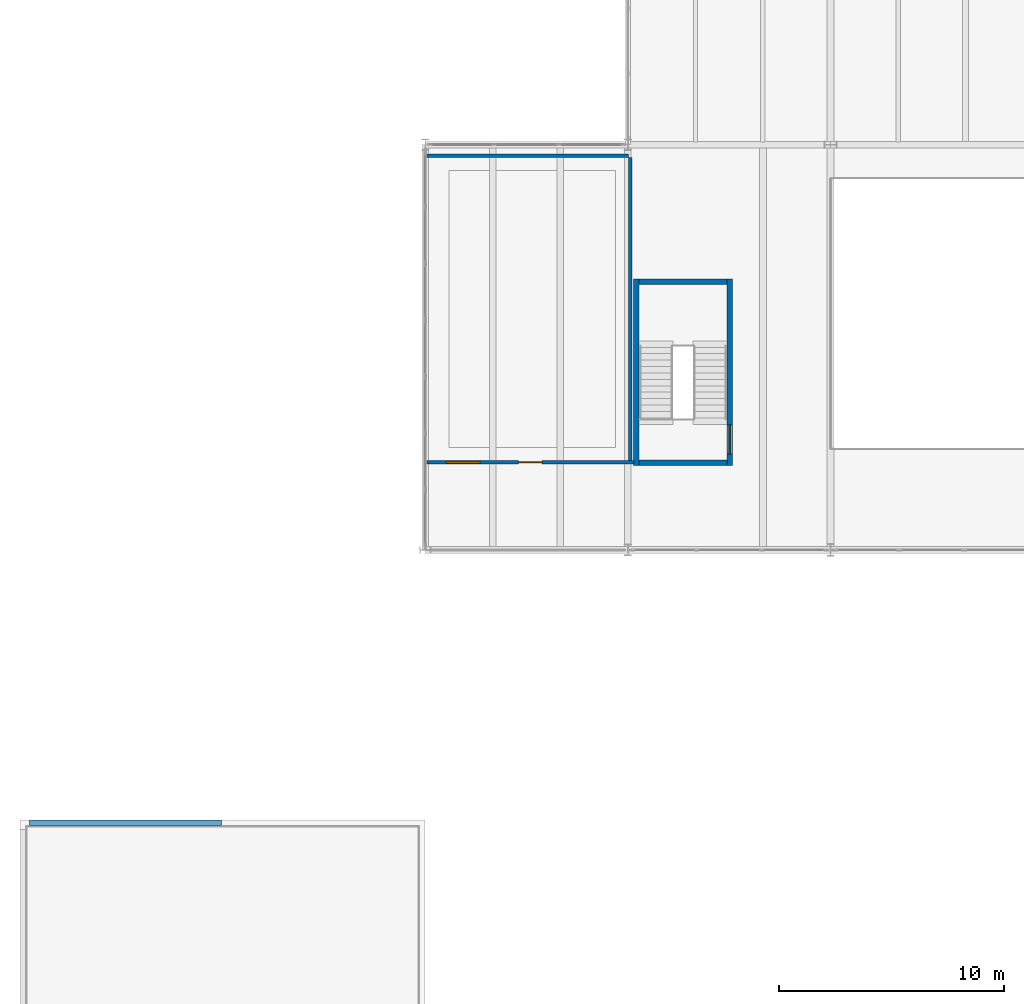
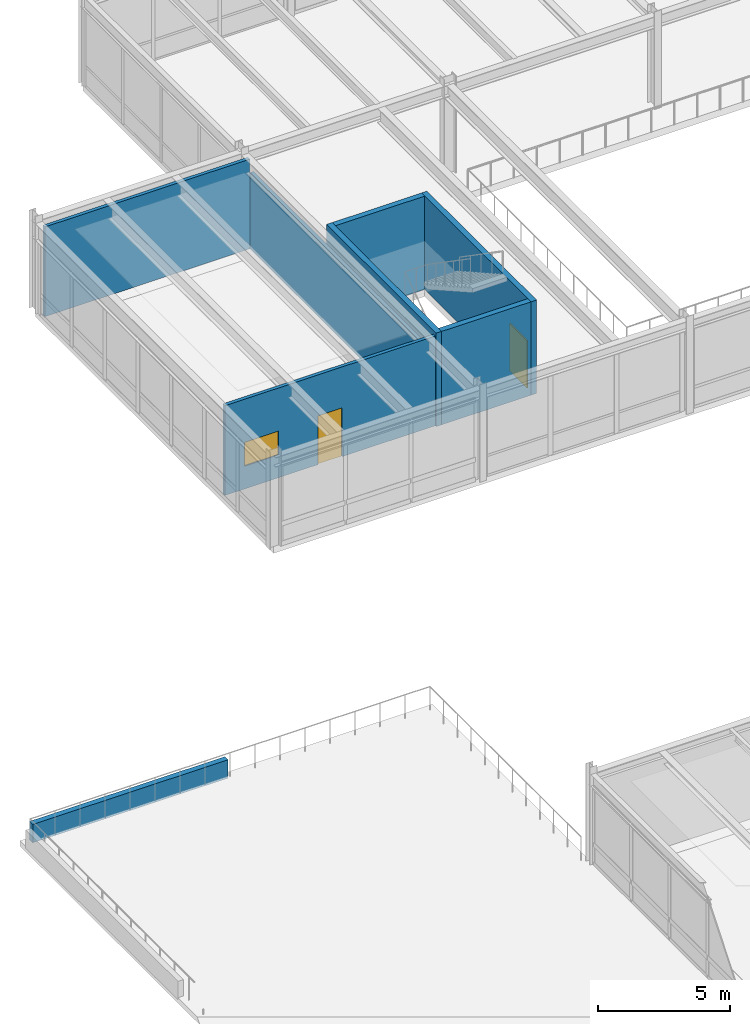
# One storey, part 113 of 127: 8 walls, 2 doors, 1 window, 3 openings.
"""IFC4 building model written with IfcOpenShell, lengths in metres."""

from ifc_helpers import new_model, si_unit, direction, frame, frame_2d, origin, place, context, subcontext, project, spatial, rectangle, extrude, material, layer, layer_set, type_object, element, fill, save


model = new_model("IFC4")

# Units and contexts
model_context = context("Model", 3, precision=1e-05, world=origin(), true_north=direction((0.0, 1.0)))
body_context = subcontext(model_context, "Body", "Model", "MODEL_VIEW")
ifc_project = project(units=[si_unit("LENGTHUNIT", "METRE"), si_unit("AREAUNIT", "SQUARE_METRE"), si_unit("VOLUMEUNIT", "CUBIC_METRE"), si_unit("PLANEANGLEUNIT", "RADIAN"), si_unit("MASSUNIT", "GRAM", prefix="KILO")], contexts=[model_context])

# Site, building, storey
site_placement = place(None, origin())
site = spatial("IfcSite", under=ifc_project, at=site_placement, CompositionType="ELEMENT")
building_placement = place(site_placement, origin())
building = spatial("IfcBuilding", under=site, at=building_placement, Name="Montelvaro Courts of Justice", CompositionType="ELEMENT")
storey_placement = place(building_placement, frame((0.0, 0.0, 5.39990234375)))
storey = spatial("IfcBuildingStorey", under=building, at=storey_placement, Name="L01", CompositionType="ELEMENT", Elevation=5.39990234375)

# Walls
ifc_material_1 = material(Name="Gypsum board on metal stud")
ifc_layer_1 = layer(ifc_material_1, 0.14990234375)
ifc_layer_set_1 = layer_set([ifc_layer_1], Name="Gypsum board on metal stud")
wall_type_1 = type_object("IfcWallType", Name="ChambersPartition_150", PredefinedType="PARTITIONING", material=ifc_layer_set_1)
wall_1_placement = place(storey_placement, frame((18.074951171875, 95.5, 0.0), z_axis=(0.0, 0.0, 1.0), x_axis=(1.0, 0.0, 0.0)))
element("IfcWall", 1, at=wall_1_placement, inside=storey, type_object=wall_type_1, Name="Interior Partition IW-04 (L01)", PredefinedType="PARTITIONING", context=body_context, shape_type="SweptSolid", body=[
    extrude(rectangle(XDim=8.945068359375, YDim=0.14990234375, at=frame_2d((4.47265625, 0.0))), origin(), (0.0, 0.0, 1.0), 4.14013671875),
])
wall_2_placement = place(storey_placement, frame((27.10009765625, 95.419921875, 0.0), z_axis=(0.0, 0.0, 1.0), x_axis=(0.0, -1.0, 0.0)))
element("IfcWall", 2, at=wall_2_placement, inside=storey, type_object=wall_type_1, Name="Interior Partition IW-04 (L01)", PredefinedType="PARTITIONING", context=body_context, shape_type="SweptSolid", body=[
    extrude(rectangle(XDim=13.43994140625, YDim=0.14990234375, at=frame_2d((6.719970703125, 0.0))), origin(), (0.0, 0.0, 1.0), 3.525146484375),
])

# Wall, openings, door, window
wall_3_placement = place(storey_placement, frame((27.264892578125, 81.89990234375, 0.0), z_axis=(0.0, 0.0, 1.0), x_axis=(-1.0, 0.0, 0.0)))
wall_3 = element("IfcWall", 3, at=wall_3_placement, inside=storey, type_object=wall_type_1, Name="Interior Partition IW-04 (L01)", PredefinedType="PARTITIONING", context=body_context, shape_type="SweptSolid", body=[
    extrude(rectangle(XDim=9.18994140625, YDim=0.14990234375, at=frame_2d((4.594970703125, 0.0))), origin(), (0.0, 0.0, 1.0), 4.14013671875),
])
opening_1_placement = place(wall_3_placement, frame((4.070068359375, 0.0, 0.0)))
opening_1 = element("IfcOpeningElement", 4, at=opening_1_placement, cuts=wall_3, Name="Opening D-L01-058", PredefinedType="OPENING", context=body_context, shape_type="SweptSolid", body=[
    extrude(rectangle(XDim=1.050048828125, YDim=2.25, at=frame_2d((0.52490234375, 1.125))), frame((0.0, 0.08984375, 0.0), z_axis=(0.0, -1.0, 0.0), x_axis=(1.0, 0.0, 0.0)), (0.0, 0.0, 1.0), 0.1796875),
])
opening_2_placement = place(wall_3_placement, frame((6.840087890625, 0.0, 1.050048828125)))
opening_2 = element("IfcOpeningElement", 5, at=opening_2_placement, cuts=wall_3, Name="Opening WI-02", PredefinedType="OPENING", context=body_context, shape_type="SweptSolid", body=[
    extrude(rectangle(XDim=1.5, YDim=1.10009765625, at=frame_2d((0.75, 0.550048828125))), frame((0.0, 0.08984375, 0.0), z_axis=(0.0, -1.0, 0.0), x_axis=(1.0, 0.0, 0.0)), (0.0, 0.0, 1.0), 0.1796875),
])
ifc_material_2 = material(Name="Acoustic oak timber veneer", Category="wood")
door_type_1 = type_object("IfcDoorType", Name="ChamberDoor_105x225", OperationType="NOTDEFINED", PredefinedType="DOOR", material=ifc_material_2)
door_1_placement = place(opening_1_placement, origin())
door_1 = element("IfcDoor", 6, at=door_1_placement, inside=storey, type_object=door_type_1, Name="Interior Door D-L01-058 (Ceremonial Press and Public Gallery)", OperationType="SINGLE_SWING_RIGHT", OverallHeight=2.25, OverallWidth=1.050048828125, PredefinedType="DOOR", context=body_context, shape_type="SweptSolid", body=[
    extrude(rectangle(XDim=1.050048828125, YDim=2.25, at=frame_2d((0.52490234375, 1.125))), frame((0.0, 0.02490234375, 0.0), z_axis=(0.0, -1.0, 0.0), x_axis=(1.0, 0.0, 0.0)), (0.0, 0.0, 1.0), 0.050048828125),
])
fill(opening_1, door_1)
ifc_material_3 = material(Name="Acoustic laminated double glazing", Category="glass")
window_type = type_object("IfcWindowType", Name="IntVision_150x110", PartitioningType="SINGLE_PANEL", PredefinedType="WINDOW", material=ifc_material_3)
window_placement = place(opening_2_placement, origin())
window = element("IfcWindow", 7, at=window_placement, inside=storey, type_object=window_type, Name="Interior Vision Panel WI-030", OverallHeight=1.10009765625, OverallWidth=1.5, PartitioningType="SINGLE_PANEL", PredefinedType="WINDOW", context=body_context, shape_type="SweptSolid", body=[
    extrude(rectangle(XDim=1.5, YDim=1.10009765625, at=frame_2d((0.75, 0.550048828125))), frame((0.0, 0.030029296875, 0.0), z_axis=(0.0, -1.0, 0.0), x_axis=(1.0, 0.0, 0.0)), (0.0, 0.0, 1.0), 0.06005859375),
])
fill(opening_2, window)

# Walls
ifc_material_4 = material(Name="White mineral precast concrete C45/55", Category="concrete")
ifc_layer_2 = layer(ifc_material_4, 0.239990234375)
ifc_layer_set_2 = layer_set([ifc_layer_2], Name="White mineral precast concrete C45/55")
wall_type_2 = type_object("IfcWallType", Name="ParapetWall_240", PredefinedType="PARAPET", material=ifc_layer_set_2)
wall_4_placement = place(storey_placement, frame((0.419921875, 65.8798828125, -0.099853515625), z_axis=(0.0, 0.0, 1.0), x_axis=(1.0, 0.0, 0.0)))
element("IfcWall", 8, at=wall_4_placement, inside=storey, type_object=wall_type_2, Name="Roof Parapet PW-01 L01-074", PredefinedType="PARAPET", context=body_context, shape_type="SweptSolid", body=[
    extrude(rectangle(XDim=8.52001953125, YDim=0.239990234375, at=frame_2d((4.260009765625, 0.0))), origin(), (0.0, 0.0, 1.0), 0.849853515625),
])
ifc_material_5 = material(Name="Concrete C35/45", Category="concrete")
ifc_layer_3 = layer(ifc_material_5, 0.239990234375)
ifc_layer_set_3 = layer_set([ifc_layer_3], Name="Concrete C35/45")
wall_type_3 = type_object("IfcWallType", Name="ShaftWall_240", PredefinedType="SHEAR", material=ifc_layer_set_3)
wall_5_placement = place(storey_placement, frame((27.3798828125, 81.760009765625, 0.0), z_axis=(0.0, 0.0, 1.0), x_axis=(0.0, 1.0, 0.0)))
element("IfcWall", 9, at=wall_5_placement, inside=storey, type_object=wall_type_3, Name="Protected Stair Structural Wall ST-P1-W (L01)", PredefinedType="SHEAR", context=body_context, shape_type="SweptSolid", body=[
    extrude(rectangle(XDim=8.280029296875, YDim=0.239990234375, at=frame_2d((4.14013671875, 0.0))), origin(), (0.0, 0.0, 1.0), 4.31005859375),
])

# Wall, opening, door
wall_6_placement = place(storey_placement, frame((31.52001953125, 81.760009765625, 0.0), z_axis=(0.0, 0.0, 1.0), x_axis=(0.0, 1.0, 0.0)))
wall_6 = element("IfcWall", 10, at=wall_6_placement, inside=storey, type_object=wall_type_3, Name="Protected Stair Structural Wall ST-P1-E (L01)", PredefinedType="SHEAR", context=body_context, shape_type="SweptSolid", body=[
    extrude(rectangle(XDim=8.280029296875, YDim=0.239990234375, at=frame_2d((4.14013671875, 0.0))), origin(), (0.0, 0.0, 1.0), 4.31005859375),
])
opening_3_placement = place(wall_6_placement, frame((0.489990234375, 0.0, 0.0)))
opening_3 = element("IfcOpeningElement", 11, at=opening_3_placement, cuts=wall_6, Name="Opening DS-L01-SP1", PredefinedType="OPENING", context=body_context, shape_type="SweptSolid", body=[
    extrude(rectangle(XDim=1.300048828125, YDim=2.199951171875, at=frame_2d((0.64990234375, 1.10009765625))), frame((0.0, 0.134765625, 0.0), z_axis=(0.0, -1.0, 0.0), x_axis=(1.0, 0.0, 0.0)), (0.0, 0.0, 1.0), 0.269775390625),
])
ifc_material_6 = material(Name="Galvanised steel S355 security door", Category="steel")
door_type_2 = type_object("IfcDoorType", Name="StairFireDoor_130x220", OperationType="NOTDEFINED", PredefinedType="DOOR", material=ifc_material_6)
door_2_placement = place(opening_3_placement, frame((1.300048828125, 0.0, 0.0), z_axis=(0.0, 0.0, 1.0), x_axis=(-1.0, 0.0, 0.0)))
door_2 = element("IfcDoor", 12, at=door_2_placement, inside=storey, type_object=door_type_2, Name="Protected Stair Fire Door DS-L01-SP1", OperationType="SINGLE_SWING_RIGHT", OverallHeight=2.199951171875, OverallWidth=1.300048828125, PredefinedType="DOOR", context=body_context, shape_type="SweptSolid", body=[
    extrude(rectangle(XDim=1.300048828125, YDim=2.199951171875, at=frame_2d((0.64990234375, 1.10009765625))), frame((0.0, 0.02490234375, 0.0), z_axis=(0.0, -1.0, 0.0), x_axis=(1.0, 0.0, 0.0)), (0.0, 0.0, 1.0), 0.050048828125),
])
fill(opening_3, door_2)

# Walls
for number, where, z_axis, x_axis, name in (
    (13, (27.5, 81.8798828125, 0.0), (0.0, 0.0, 1.0), (1.0, 0.0, 0.0), "Protected Stair Structural Wall ST-P1-S (L01)"),
    (14, (27.5, 89.919921875, 0.0), (0.0, 0.0, 1.0), (1.0, 0.0, 0.0), "Protected Stair Structural Wall ST-P1-N (L01)"),
):
    element("IfcWall", number, at=place(storey_placement, frame(where, z_axis=z_axis, x_axis=x_axis)), inside=storey, type_object=wall_type_3, Name=name, PredefinedType="SHEAR", context=body_context, shape_type="SweptSolid", body=[
        extrude(rectangle(XDim=3.89990234375, YDim=0.239990234375, at=frame_2d((1.949951171875, 0.0))), origin(), (0.0, 0.0, 1.0), 4.31005859375),
    ])

save(model, "model.ifc")
